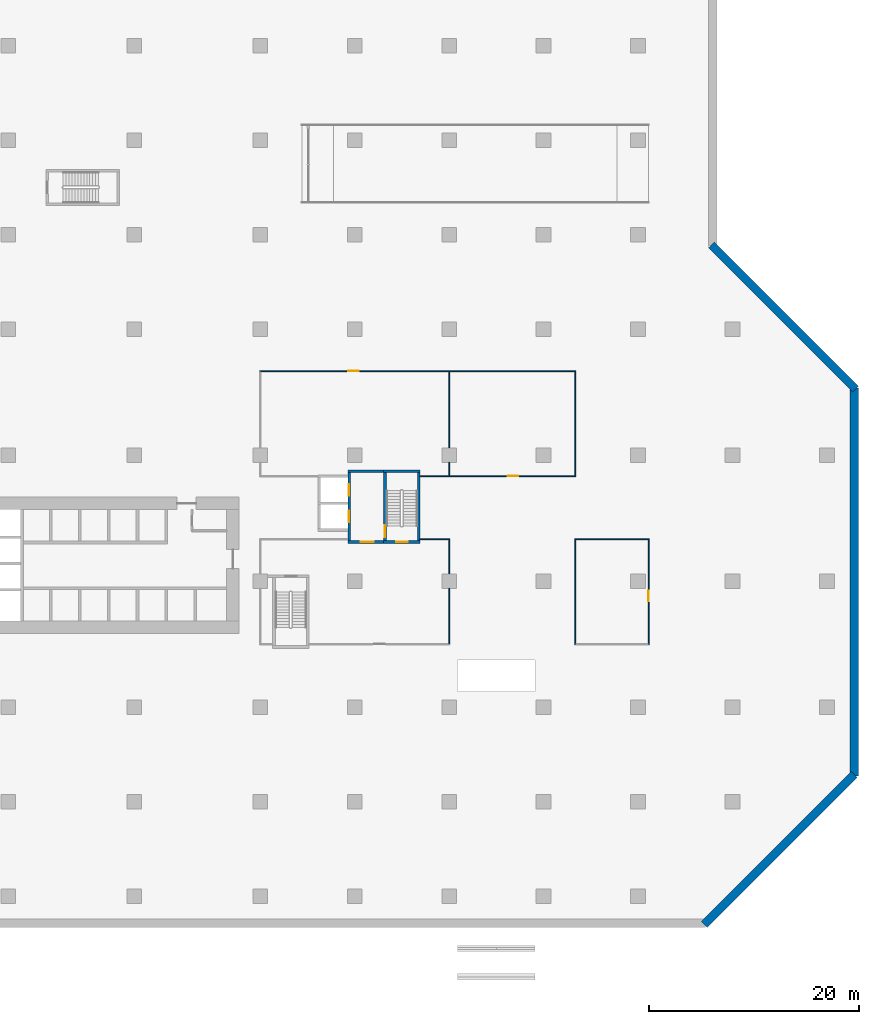
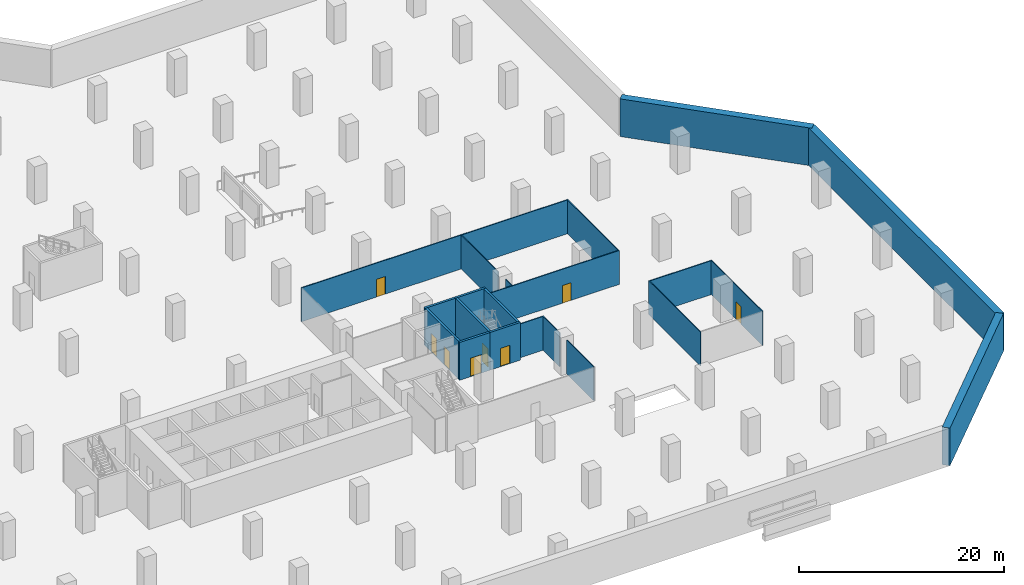
# One storey, part 5 of 9: 21 walls, 8 doors, 8 openings.
"""IFC4 building model written with IfcOpenShell, lengths in metres."""

from ifc_helpers import new_model, si_unit, direction, frame, frame_2d, origin, place, context, subcontext, project, spatial, rectangle, extrude, material, layer, layer_set, type_object, element, fill, save


model = new_model("IFC4")

# Units and contexts
model_context = context("Model", 3, precision=1e-05, world=origin(), true_north=direction((0.0, 1.0)))
body_context = subcontext(model_context, "Body", "Model", "MODEL_VIEW")
ifc_project = project(units=[si_unit("LENGTHUNIT", "METRE"), si_unit("AREAUNIT", "SQUARE_METRE"), si_unit("VOLUMEUNIT", "CUBIC_METRE"), si_unit("PLANEANGLEUNIT", "RADIAN"), si_unit("MASSUNIT", "GRAM", prefix="KILO")], contexts=[model_context])

# Site, building, storey
site_placement = place(None, origin())
site = spatial("IfcSite", under=ifc_project, at=site_placement, CompositionType="ELEMENT")
building_placement = place(site_placement, origin())
building = spatial("IfcBuilding", under=site, at=building_placement, Name="Chenar Terraces", CompositionType="ELEMENT")
storey_placement = place(building_placement, frame((0.0, 0.0, -4.5)))
storey = spatial("IfcBuildingStorey", under=building, at=storey_placement, Name="B1", CompositionType="ELEMENT", Elevation=-4.5)

# Wall, opening, door
ifc_material_1 = material(Name="Concrete C70/85", Category="concrete")
ifc_layer_1 = layer(ifc_material_1, 0.25)
ifc_layer_set_1 = layer_set([ifc_layer_1], Name="Concrete C70/85")
wall_type_1 = type_object("IfcWallType", Name="Core wall 250 Concrete C70/85", PredefinedType="SHEAR", material=ifc_layer_set_1)
wall_1_placement = place(storey_placement, frame((47.77490234375, 15.72509765625, 0.0), z_axis=(0.0, 0.0, 1.0), x_axis=(1.0, 0.0, 0.0)))
wall_1 = element("IfcWall", 1, at=wall_1_placement, inside=storey, type_object=wall_type_1, Name="Core wall ST3_S B1", PredefinedType="SHEAR", context=body_context, shape_type="SweptSolid", body=[
    extrude(rectangle(XDim=3.4501953125, YDim=0.25, at=frame_2d((1.72509765625, 0.0))), origin(), (0.0, 0.0, 1.0), 4.5),
])
opening_1_placement = place(wall_1_placement, frame((1.175048828125, 0.0, 0.0)))
opening_1 = element("IfcOpeningElement", 2, at=opening_1_placement, cuts=wall_1, Name="Opening DB1-C8", PredefinedType="OPENING", context=body_context, shape_type="SweptSolid", body=[
    extrude(rectangle(XDim=1.10009765625, YDim=2.199951171875, at=frame_2d((0.550048828125, 1.10009765625))), frame((0.0, 0.135009765625, 0.0), z_axis=(0.0, -1.0, 0.0), x_axis=(1.0, 0.0, 0.0)), (0.0, 0.0, 1.0), 0.27001953125),
])
ifc_material_2 = material(Name="Steel-framed fire-resisting door leaf", Category="steel")
door_type_1 = type_object("IfcDoorType", Name="Stair fire door FD60 1100 x 2200", OperationType="SINGLE_SWING_LEFT", PredefinedType="DOOR", material=ifc_material_2)
door_1_placement = place(opening_1_placement, frame((1.10009765625, 0.0, 0.0), z_axis=(0.0, 0.0, 1.0), x_axis=(-1.0, 0.0, 0.0)))
door_1 = element("IfcDoor", 3, at=door_1_placement, inside=storey, type_object=door_type_1, Name="Stair door DB1-C8", OperationType="SINGLE_SWING_RIGHT", OverallHeight=2.199951171875, OverallWidth=1.10009765625, PredefinedType="DOOR", context=body_context, shape_type="SweptSolid", body=[
    extrude(rectangle(XDim=1.10009765625, YDim=2.199951171875, at=frame_2d((0.550048828125, 1.10009765625))), frame((0.0, 0.02490234375, 0.0), z_axis=(0.0, -1.0, 0.0), x_axis=(1.0, 0.0, 0.0)), (0.0, 0.0, 1.0), 0.050048828125),
])
fill(opening_1, door_1)

# Wall
wall_2_placement = place(storey_placement, frame((47.77490234375, 22.47509765625, 0.0), z_axis=(0.0, 0.0, 1.0), x_axis=(1.0, 0.0, 0.0)))
element("IfcWall", 4, at=wall_2_placement, inside=storey, type_object=wall_type_1, Name="Core wall ST3_N B1", PredefinedType="SHEAR", context=body_context, shape_type="SweptSolid", body=[
    extrude(rectangle(XDim=3.4501953125, YDim=0.25, at=frame_2d((1.72509765625, 0.0))), origin(), (0.0, 0.0, 1.0), 4.5),
])

# Wall, opening, door
wall_3_placement = place(storey_placement, frame((47.89990234375, 15.85009765625, 0.0), z_axis=(0.0, 0.0, 1.0), x_axis=(0.0, 1.0, 0.0)))
wall_3 = element("IfcWall", 5, at=wall_3_placement, inside=storey, type_object=wall_type_1, Name="Core wall ST3_W B1", PredefinedType="SHEAR", context=body_context, shape_type="SweptSolid", body=[
    extrude(rectangle(XDim=6.5, YDim=0.25, at=frame_2d((3.25, 0.0))), origin(), (0.0, 0.0, 1.0), 4.5),
])
opening_2_placement = place(wall_3_placement, frame((0.35009765625, 0.0, 0.0)))
opening_2 = element("IfcOpeningElement", 6, at=opening_2_placement, cuts=wall_3, Name="Opening DB1-C11", PredefinedType="OPENING", context=body_context, shape_type="SweptSolid", body=[
    extrude(rectangle(XDim=1.10009765625, YDim=2.199951171875, at=frame_2d((0.550048828125, 1.10009765625))), frame((0.0, 0.135009765625, 0.0), z_axis=(0.0, -1.0, 0.0), x_axis=(1.0, 0.0, 0.0)), (0.0, 0.0, 1.0), 0.27001953125),
])
door_2_placement = place(opening_2_placement, frame((1.10009765625, 0.0, 0.0), z_axis=(0.0, 0.0, 1.0), x_axis=(-1.0, 0.0, 0.0)))
door_2 = element("IfcDoor", 7, at=door_2_placement, inside=storey, type_object=door_type_1, Name="Stair door DB1-C11", OperationType="SINGLE_SWING_RIGHT", OverallHeight=2.199951171875, OverallWidth=1.10009765625, PredefinedType="DOOR", context=body_context, shape_type="SweptSolid", body=[
    extrude(rectangle(XDim=1.10009765625, YDim=2.199951171875, at=frame_2d((0.550048828125, 1.10009765625))), frame((0.0, 0.02490234375, 0.0), z_axis=(0.0, -1.0, 0.0), x_axis=(1.0, 0.0, 0.0)), (0.0, 0.0, 1.0), 0.050048828125),
])
fill(opening_2, door_2)

# Wall
wall_4_placement = place(storey_placement, frame((51.10009765625, 15.85009765625, 0.0), z_axis=(0.0, 0.0, 1.0), x_axis=(0.0, 1.0, 0.0)))
element("IfcWall", 8, at=wall_4_placement, inside=storey, type_object=wall_type_1, Name="Core wall ST3_E B1", PredefinedType="SHEAR", context=body_context, shape_type="SweptSolid", body=[
    extrude(rectangle(XDim=6.5, YDim=0.25, at=frame_2d((3.25, 0.0))), origin(), (0.0, 0.0, 1.0), 4.5),
])

# Wall, opening, door
wall_5_placement = place(storey_placement, frame((44.35009765625, 15.72509765625, 0.0), z_axis=(0.0, 0.0, 1.0), x_axis=(1.0, 0.0, 0.0)))
wall_5 = element("IfcWall", 9, at=wall_5_placement, inside=storey, type_object=wall_type_1, Name="Core wall F3_LS B1", PredefinedType="SHEAR", context=body_context, shape_type="SweptSolid", body=[
    extrude(rectangle(XDim=3.4248046875, YDim=0.25, at=frame_2d((1.71240234375, 0.0))), origin(), (0.0, 0.0, 1.0), 4.5),
])
opening_3_placement = place(wall_5_placement, frame((1.25, 0.0, 0.0)))
opening_3 = element("IfcOpeningElement", 10, at=opening_3_placement, cuts=wall_5, Name="Opening DB1-C10", PredefinedType="OPENING", context=body_context, shape_type="SweptSolid", body=[
    extrude(rectangle(XDim=1.199951171875, YDim=2.199951171875, at=frame_2d((0.60009765625, 1.10009765625))), frame((0.0, 0.135009765625, 0.0), z_axis=(0.0, -1.0, 0.0), x_axis=(1.0, 0.0, 0.0)), (0.0, 0.0, 1.0), 0.27001953125),
])
ifc_material_3 = material(Name="Steel-framed fire-resisting door leaf", Category="steel")
door_type_2 = type_object("IfcDoorType", Name="Lobby fire door FD60 1200 x 2200", OperationType="SINGLE_SWING_LEFT", PredefinedType="DOOR", material=ifc_material_3)
door_3_placement = place(opening_3_placement, frame((1.199951171875, 0.0, 0.0), z_axis=(0.0, 0.0, 1.0), x_axis=(-1.0, 0.0, 0.0)))
door_3 = element("IfcDoor", 11, at=door_3_placement, inside=storey, type_object=door_type_2, Name="Core door DB1-C10", OperationType="SINGLE_SWING_RIGHT", OverallHeight=2.199951171875, OverallWidth=1.199951171875, PredefinedType="DOOR", context=body_context, shape_type="SweptSolid", body=[
    extrude(rectangle(XDim=1.199951171875, YDim=2.199951171875, at=frame_2d((0.60009765625, 1.10009765625))), frame((0.0, 0.02490234375, 0.0), z_axis=(0.0, -1.0, 0.0), x_axis=(1.0, 0.0, 0.0)), (0.0, 0.0, 1.0), 0.050048828125),
])
fill(opening_3, door_3)

# Wall
wall_6_placement = place(storey_placement, frame((44.35009765625, 22.47509765625, 0.0), z_axis=(0.0, 0.0, 1.0), x_axis=(1.0, 0.0, 0.0)))
element("IfcWall", 12, at=wall_6_placement, inside=storey, type_object=wall_type_1, Name="Core wall F3_LN B1", PredefinedType="SHEAR", context=body_context, shape_type="SweptSolid", body=[
    extrude(rectangle(XDim=3.4248046875, YDim=0.25, at=frame_2d((1.71240234375, 0.0))), origin(), (0.0, 0.0, 1.0), 4.5),
])

# Wall, openings, doors
wall_7_placement = place(storey_placement, frame((44.47509765625, 15.85009765625, 0.0), z_axis=(0.0, 0.0, 1.0), x_axis=(0.0, 1.0, 0.0)))
wall_7 = element("IfcWall", 13, at=wall_7_placement, inside=storey, type_object=wall_type_1, Name="Core wall F3_LW B1", PredefinedType="SHEAR", context=body_context, shape_type="SweptSolid", body=[
    extrude(rectangle(XDim=6.5, YDim=0.25, at=frame_2d((3.25, 0.0))), origin(), (0.0, 0.0, 1.0), 4.5),
])
opening_4_placement = place(wall_7_placement, frame((1.75, 0.0, 0.0)))
opening_4 = element("IfcOpeningElement", 14, at=opening_4_placement, cuts=wall_7, Name="Opening DB1-LD4", PredefinedType="OPENING", context=body_context, shape_type="SweptSolid", body=[
    extrude(rectangle(XDim=1.10009765625, YDim=2.199951171875, at=frame_2d((0.550048828125, 1.10009765625))), frame((0.0, 0.135009765625, 0.0), z_axis=(0.0, -1.0, 0.0), x_axis=(1.0, 0.0, 0.0)), (0.0, 0.0, 1.0), 0.27001953125),
])
opening_5_placement = place(wall_7_placement, frame((4.300048828125, 0.0, 0.0)))
opening_5 = element("IfcOpeningElement", 15, at=opening_5_placement, cuts=wall_7, Name="Opening DB1-LD5", PredefinedType="OPENING", context=body_context, shape_type="SweptSolid", body=[
    extrude(rectangle(XDim=1.10009765625, YDim=2.199951171875, at=frame_2d((0.550048828125, 1.10009765625))), frame((0.0, 0.135009765625, 0.0), z_axis=(0.0, -1.0, 0.0), x_axis=(1.0, 0.0, 0.0)), (0.0, 0.0, 1.0), 0.27001953125),
])
ifc_material_4 = material(Name="Stainless steel", Category="steel")
door_type_3 = type_object("IfcDoorType", Name="Lift landing door 1100 x 2200 sliding", OperationType="DOUBLE_DOOR_SLIDING", PredefinedType="DOOR", material=ifc_material_4)
door_4_placement = place(opening_4_placement, origin())
door_4 = element("IfcDoor", 16, at=door_4_placement, inside=storey, type_object=door_type_3, Name="Landing door F3", OperationType="DOUBLE_DOOR_SLIDING", OverallHeight=2.199951171875, OverallWidth=1.10009765625, PredefinedType="DOOR", context=body_context, shape_type="SweptSolid", body=[
    extrude(rectangle(XDim=1.10009765625, YDim=2.199951171875, at=frame_2d((0.550048828125, 1.10009765625))), frame((0.0, 0.02490234375, 0.0), z_axis=(0.0, -1.0, 0.0), x_axis=(1.0, 0.0, 0.0)), (0.0, 0.0, 1.0), 0.050048828125),
])
fill(opening_4, door_4)
door_5_placement = place(opening_5_placement, origin())
door_5 = element("IfcDoor", 17, at=door_5_placement, inside=storey, type_object=door_type_3, Name="Landing door F4", OperationType="DOUBLE_DOOR_SLIDING", OverallHeight=2.199951171875, OverallWidth=1.10009765625, PredefinedType="DOOR", context=body_context, shape_type="SweptSolid", body=[
    extrude(rectangle(XDim=1.10009765625, YDim=2.199951171875, at=frame_2d((0.550048828125, 1.10009765625))), frame((0.0, 0.02490234375, 0.0), z_axis=(0.0, -1.0, 0.0), x_axis=(1.0, 0.0, 0.0)), (0.0, 0.0, 1.0), 0.050048828125),
])
fill(opening_5, door_5)

# Walls
ifc_material_5 = material(Name="Concrete C40/50", Category="concrete")
ifc_layer_2 = layer(ifc_material_5, 0.800048828125)
ifc_layer_set_2 = layer_set([ifc_layer_2], Name="Concrete C40/50")
wall_type_2 = type_object("IfcWallType", Name="Diaphragm wall 800 Concrete C40/50", PredefinedType="SOLIDWALL", material=ifc_layer_set_2)
wall_8_placement = place(storey_placement, frame((78.294189453125, -20.71728515625, 0.0), z_axis=(0.0, 0.0, 1.0), x_axis=(0.707112814855, 0.707100747466, 0.0)))
element("IfcWall", 18, at=wall_8_placement, inside=storey, type_object=wall_type_2, Name="Diaphragm wall B1 7", PredefinedType="SOLIDWALL", context=body_context, shape_type="SweptSolid", body=[
    extrude(rectangle(XDim=20.2314453125, YDim=0.800048828125, at=frame_2d((10.11572265625, 0.0))), origin(), (0.0, 0.0, 1.0), 4.5),
])
wall_9_placement = place(storey_placement, frame((92.60009765625, -6.5771484375, 0.0), z_axis=(0.0, 0.0, 1.0), x_axis=(0.0, 1.0, 0.0)))
element("IfcWall", 19, at=wall_9_placement, inside=storey, type_object=wall_type_2, Name="Diaphragm wall B1 8", PredefinedType="SOLIDWALL", context=body_context, shape_type="SweptSolid", body=[
    extrude(rectangle(XDim=36.98876953125, YDim=0.800048828125, at=frame_2d((18.494384765625, 0.0))), origin(), (0.0, 0.0, 1.0), 4.5),
])
wall_10_placement = place(storey_placement, frame((92.71728515625, 30.294189453125, 0.0), z_axis=(0.0, 0.0, 1.0), x_axis=(-0.707106781187, 0.707106781187, 0.0)))
element("IfcWall", 20, at=wall_10_placement, inside=storey, type_object=wall_type_2, Name="Diaphragm wall B1 9", PredefinedType="SOLIDWALL", context=body_context, shape_type="SweptSolid", body=[
    extrude(rectangle(XDim=19.42333984375, YDim=0.800048828125, at=frame_2d((9.711669921875, 0.0))), origin(), (0.0, 0.0, 1.0), 4.5),
])

# Wall, opening, door
ifc_material_6 = material(Name="Gypsum board on steel studs", Category="steel")
ifc_layer_3 = layer(ifc_material_6, 0.10009765625)
ifc_layer_set_3 = layer_set([ifc_layer_3], Name="Gypsum board on steel studs")
wall_type_3 = type_object("IfcWallType", Name="Gypsum partition 100", PredefinedType="PARTITIONING", material=ifc_layer_set_3)
wall_11_placement = place(storey_placement, frame((35.949951171875, 32.0, 0.0), z_axis=(0.0, 0.0, 1.0), x_axis=(1.0, 0.0, 0.0)))
wall_11 = element("IfcWall", 21, at=wall_11_placement, inside=storey, type_object=wall_type_3, Name="Partition B1-003", PredefinedType="PARTITIONING", context=body_context, shape_type="SweptSolid", body=[
    extrude(rectangle(XDim=30.10009765625, YDim=0.10009765625, at=frame_2d((15.050048828125, 0.0))), origin(), (0.0, 0.0, 1.0), 4.050048828125),
])
opening_6_placement = place(wall_11_placement, frame((8.449951171875, 0.0, 0.0)))
opening_6 = element("IfcOpeningElement", 22, at=opening_6_placement, cuts=wall_11, Name="Opening DB1-1", PredefinedType="OPENING", context=body_context, shape_type="SweptSolid", body=[
    extrude(rectangle(XDim=1.0, YDim=2.10009765625, at=frame_2d((0.5, 1.050048828125))), frame((0.0, 0.06005859375, 0.0), z_axis=(0.0, -1.0, 0.0), x_axis=(1.0, 0.0, 0.0)), (0.0, 0.0, 1.0), 0.1201171875),
])
ifc_material_7 = material(Name="Veneered timber door leaf", Category="wood")
door_type_4 = type_object("IfcDoorType", Name="Door 1000 x 2100", OperationType="SINGLE_SWING_LEFT", PredefinedType="DOOR", material=ifc_material_7)
door_6_placement = place(opening_6_placement, frame((1.0, 0.0, 0.0), z_axis=(0.0, 0.0, 1.0), x_axis=(-1.0, 0.0, 0.0)))
door_6 = element("IfcDoor", 23, at=door_6_placement, inside=storey, type_object=door_type_4, Name="Door DB1-1", OperationType="SINGLE_SWING_RIGHT", OverallHeight=2.10009765625, OverallWidth=1.0, PredefinedType="DOOR", context=body_context, shape_type="SweptSolid", body=[
    extrude(rectangle(XDim=1.0, YDim=2.10009765625, at=frame_2d((0.5, 1.050048828125))), frame((0.0, 0.02490234375, 0.0), z_axis=(0.0, -1.0, 0.0), x_axis=(1.0, 0.0, 0.0)), (0.0, 0.0, 1.0), 0.050048828125),
])
fill(opening_6, door_6)

# Wall
wall_12_placement = place(storey_placement, frame((51.22509765625, 16.0, 0.0), z_axis=(0.0, 0.0, 1.0), x_axis=(1.0, 0.0, 0.0)))
element("IfcWall", 24, at=wall_12_placement, inside=storey, type_object=wall_type_3, Name="Partition B1-010", PredefinedType="PARTITIONING", context=body_context, shape_type="SweptSolid", body=[
    extrude(rectangle(XDim=2.724853515625, YDim=0.10009765625, at=frame_2d((1.3623046875, 0.0))), origin(), (0.0, 0.0, 1.0), 4.050048828125),
])

# Wall, opening, door
wall_13_placement = place(storey_placement, frame((51.22509765625, 22.0, 0.0), z_axis=(0.0, 0.0, 1.0), x_axis=(1.0, 0.0, 0.0)))
wall_13 = element("IfcWall", 25, at=wall_13_placement, inside=storey, type_object=wall_type_3, Name="Partition B1-011", PredefinedType="PARTITIONING", context=body_context, shape_type="SweptSolid", body=[
    extrude(rectangle(XDim=14.824951171875, YDim=0.10009765625, at=frame_2d((7.41259765625, 0.0))), origin(), (0.0, 0.0, 1.0), 4.050048828125),
])
opening_7_placement = place(wall_13_placement, frame((8.375, 0.0, 0.0)))
opening_7 = element("IfcOpeningElement", 26, at=opening_7_placement, cuts=wall_13, Name="Opening DB1-3", PredefinedType="OPENING", context=body_context, shape_type="SweptSolid", body=[
    extrude(rectangle(XDim=1.0, YDim=2.10009765625, at=frame_2d((0.5, 1.050048828125))), frame((0.0, 0.06005859375, 0.0), z_axis=(0.0, -1.0, 0.0), x_axis=(1.0, 0.0, 0.0)), (0.0, 0.0, 1.0), 0.1201171875),
])
door_7_placement = place(opening_7_placement, origin())
door_7 = element("IfcDoor", 27, at=door_7_placement, inside=storey, type_object=door_type_4, Name="Door DB1-3", OperationType="SINGLE_SWING_LEFT", OverallHeight=2.10009765625, OverallWidth=1.0, PredefinedType="DOOR", context=body_context, shape_type="SweptSolid", body=[
    extrude(rectangle(XDim=1.0, YDim=2.10009765625, at=frame_2d((0.5, 1.050048828125))), frame((0.0, 0.02490234375, 0.0), z_axis=(0.0, -1.0, 0.0), x_axis=(1.0, 0.0, 0.0)), (0.0, 0.0, 1.0), 0.050048828125),
])
fill(opening_7, door_7)

# Walls
wall_14_placement = place(storey_placement, frame((54.0, 6.050048828125, 0.0), z_axis=(0.0, 0.0, 1.0), x_axis=(0.0, 1.0, 0.0)))
element("IfcWall", 28, at=wall_14_placement, inside=storey, type_object=wall_type_3, Name="Partition B1-012", PredefinedType="PARTITIONING", context=body_context, shape_type="SweptSolid", body=[
    extrude(rectangle(XDim=5.2509765625, YDim=0.10009765625, at=frame_2d((2.62548828125, 0.0))), origin(), (0.0, 0.0, 1.0), 4.050048828125),
])
wall_15_placement = place(storey_placement, frame((54.0, 12.698974609375, 0.0), z_axis=(0.0, 0.0, 1.0), x_axis=(0.0, 1.0, 0.0)))
element("IfcWall", 29, at=wall_15_placement, inside=storey, type_object=wall_type_3, Name="Partition B1-013", PredefinedType="PARTITIONING", context=body_context, shape_type="SweptSolid", body=[
    extrude(rectangle(XDim=3.35107421875, YDim=0.10009765625, at=frame_2d((1.675537109375, 0.0))), origin(), (0.0, 0.0, 1.0), 4.050048828125),
])
wall_16_placement = place(storey_placement, frame((54.0, 22.050048828125, 0.0), z_axis=(0.0, 0.0, 1.0), x_axis=(0.0, 1.0, 0.0)))
element("IfcWall", 30, at=wall_16_placement, inside=storey, type_object=wall_type_3, Name="Partition B1-014", PredefinedType="PARTITIONING", context=body_context, shape_type="SweptSolid", body=[
    extrude(rectangle(XDim=1.2509765625, YDim=0.10009765625, at=frame_2d((0.62548828125, 0.0))), origin(), (0.0, 0.0, 1.0), 4.050048828125),
])
wall_17_placement = place(storey_placement, frame((54.0, 24.698974609375, 0.0), z_axis=(0.0, 0.0, 1.0), x_axis=(0.0, 1.0, 0.0)))
element("IfcWall", 31, at=wall_17_placement, inside=storey, type_object=wall_type_3, Name="Partition B1-015", PredefinedType="PARTITIONING", context=body_context, shape_type="SweptSolid", body=[
    extrude(rectangle(XDim=7.2509765625, YDim=0.10009765625, at=frame_2d((3.62548828125, 0.0))), origin(), (0.0, 0.0, 1.0), 4.050048828125),
])
wall_18_placement = place(storey_placement, frame((66.0, 5.949951171875, 0.0), z_axis=(0.0, 0.0, 1.0), x_axis=(0.0, 1.0, 0.0)))
element("IfcWall", 32, at=wall_18_placement, inside=storey, type_object=wall_type_3, Name="Partition B1-016", PredefinedType="PARTITIONING", context=body_context, shape_type="SweptSolid", body=[
    extrude(rectangle(XDim=10.10009765625, YDim=0.10009765625, at=frame_2d((5.050048828125, 0.0))), origin(), (0.0, 0.0, 1.0), 4.050048828125),
])
wall_19_placement = place(storey_placement, frame((66.0, 22.050048828125, 0.0), z_axis=(0.0, 0.0, 1.0), x_axis=(0.0, 1.0, 0.0)))
element("IfcWall", 33, at=wall_19_placement, inside=storey, type_object=wall_type_3, Name="Partition B1-017", PredefinedType="PARTITIONING", context=body_context, shape_type="SweptSolid", body=[
    extrude(rectangle(XDim=9.89990234375, YDim=0.10009765625, at=frame_2d((4.949951171875, 0.0))), origin(), (0.0, 0.0, 1.0), 4.050048828125),
])
wall_20_placement = place(storey_placement, frame((66.050048828125, 16.0, 0.0), z_axis=(0.0, 0.0, 1.0), x_axis=(1.0, 0.0, 0.0)))
element("IfcWall", 34, at=wall_20_placement, inside=storey, type_object=wall_type_3, Name="Partition B1-019", PredefinedType="PARTITIONING", context=body_context, shape_type="SweptSolid", body=[
    extrude(rectangle(XDim=6.89990234375, YDim=0.10009765625, at=frame_2d((3.449951171875, 0.0))), origin(), (0.0, 0.0, 1.0), 4.050048828125),
])

# Wall, opening, door
wall_21_placement = place(storey_placement, frame((73.0, 5.949951171875, 0.0), z_axis=(0.0, 0.0, 1.0), x_axis=(0.0, 1.0, 0.0)))
wall_21 = element("IfcWall", 35, at=wall_21_placement, inside=storey, type_object=wall_type_3, Name="Partition B1-020", PredefinedType="PARTITIONING", context=body_context, shape_type="SweptSolid", body=[
    extrude(rectangle(XDim=10.10009765625, YDim=0.10009765625, at=frame_2d((5.050048828125, 0.0))), origin(), (0.0, 0.0, 1.0), 4.050048828125),
])
opening_8_placement = place(wall_21_placement, frame((4.14990234375, 0.0, 0.0)))
opening_8 = element("IfcOpeningElement", 36, at=opening_8_placement, cuts=wall_21, Name="Opening DB1-4", PredefinedType="OPENING", context=body_context, shape_type="SweptSolid", body=[
    extrude(rectangle(XDim=1.0, YDim=2.10009765625, at=frame_2d((0.5, 1.050048828125))), frame((0.0, 0.06005859375, 0.0), z_axis=(0.0, -1.0, 0.0), x_axis=(1.0, 0.0, 0.0)), (0.0, 0.0, 1.0), 0.1201171875),
])
door_8_placement = place(opening_8_placement, origin())
door_8 = element("IfcDoor", 37, at=door_8_placement, inside=storey, type_object=door_type_4, Name="Door DB1-4", OperationType="SINGLE_SWING_LEFT", OverallHeight=2.10009765625, OverallWidth=1.0, PredefinedType="DOOR", context=body_context, shape_type="SweptSolid", body=[
    extrude(rectangle(XDim=1.0, YDim=2.10009765625, at=frame_2d((0.5, 1.050048828125))), frame((0.0, 0.02490234375, 0.0), z_axis=(0.0, -1.0, 0.0), x_axis=(1.0, 0.0, 0.0)), (0.0, 0.0, 1.0), 0.050048828125),
])
fill(opening_8, door_8)

save(model, "model.ifc")
